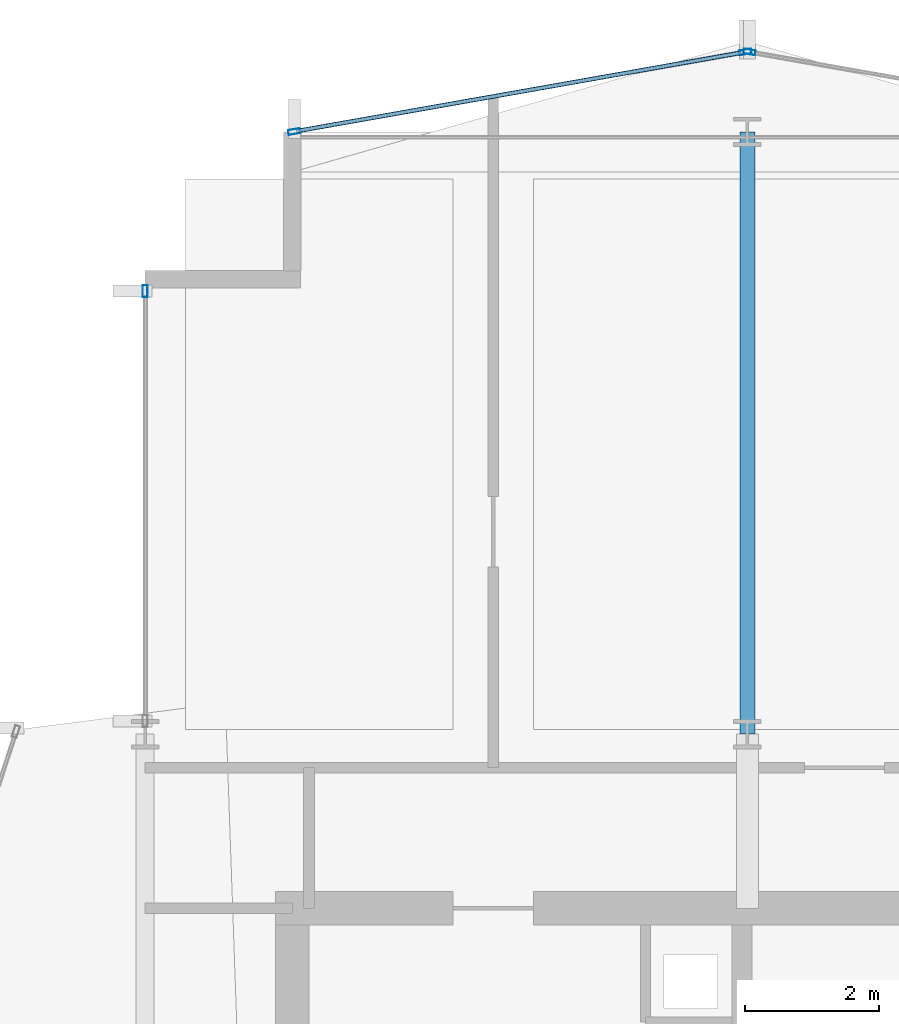
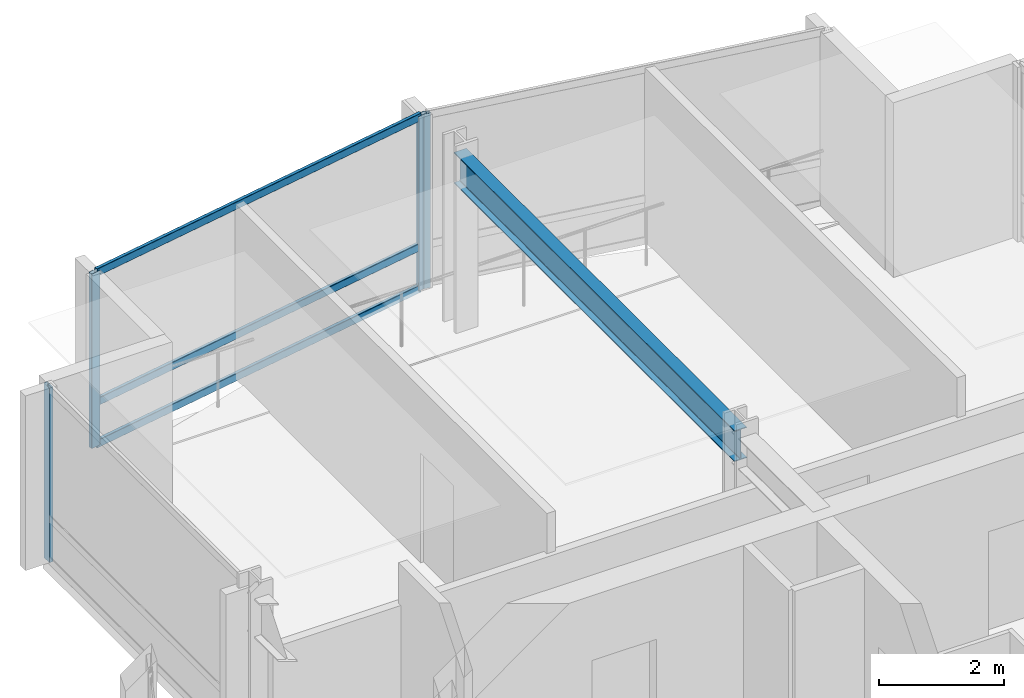
# One storey, part 19 of 28: 7 members, 1 beam, 3 elements without a shape of their own.
"""IFC4 building model written with IfcOpenShell, lengths in metres."""

import ifcopenshell
import ifcopenshell.guid

model = None  # the IFC model being written
_history = None  # IfcOwnerHistory: only IFC2X3 demands one
_inside = {}  # id of a spatial element -> (the spatial element, [elements in it])
_under = {}  # id of a project, library or spatial element -> (it, [spatial elements below it])
_declared = {}  # id of a project -> (the project, [libraries it declares])
_typed = {}  # id of a type object -> (the type object, [elements of that type])
_made_of = {}  # id of a material, layer set ... -> (it, [elements and type objects made of it])


def new_model(schema):
    """Start an empty IFC model of exactly this schema.

    Asked for "IFC4X3", IfcOpenShell would pick the latest addendum, in which some entities
    have other attributes; the version numbers below select the first issue.
    IFC2X3 requires an IfcOwnerHistory on every rooted entity: one is made here for all.
    """
    global model, _history
    if schema == "IFC4X3":
        model = ifcopenshell.file(schema_version=(4, 3, 0, 0))
    else:
        model = ifcopenshell.file(schema=schema)
    _inside.clear()
    _under.clear()
    _declared.clear()
    _typed.clear()
    _made_of.clear()
    _history = None
    if model.schema == "IFC2X3":
        org = make("IfcOrganization", Name="unknown")
        user = make(
            "IfcPersonAndOrganization",
            ThePerson=make("IfcPerson", FamilyName="unknown"),
            TheOrganization=org,
        )
        app = make(
            "IfcApplication",
            ApplicationDeveloper=org,
            Version="unknown",
            ApplicationFullName="unknown",
            ApplicationIdentifier="unknown",
        )
        _history = make(
            "IfcOwnerHistory",
            OwningUser=user,
            OwningApplication=app,
            ChangeAction="ADDED",
            CreationDate=0,
        )
    return model


def make(cls, **values):
    """One entity of the class cls with the attributes given. An attribute that is None is left unset."""
    return model.create_entity(
        cls, **{name: value for name, value in values.items() if value is not None}
    )


def rooted(cls, **values):
    """An entity with a GlobalId (a new one), such as an element, a storey or a relation."""
    return make(cls, GlobalId=ifcopenshell.guid.new(), OwnerHistory=_history, **values)


def si_unit(unit_type, name, prefix=None):
    """IfcSIUnit, for example si_unit("LENGTHUNIT", "METRE", prefix="MILLI")."""
    return make("IfcSIUnit", UnitType=unit_type, Prefix=prefix, Name=name)


def assignment(units):
    """IfcUnitAssignment: the units of a project."""
    return None if units is None else make("IfcUnitAssignment", Units=units)


def point(xyz):
    """IfcCartesianPoint."""
    return None if xyz is None else make("IfcCartesianPoint", Coordinates=xyz)


def direction(xyz):
    """IfcDirection."""
    return None if xyz is None else make("IfcDirection", DirectionRatios=xyz)


def frame(location, z_axis=None, x_axis=None):
    """IfcAxis2Placement3D, a coordinate frame: its origin and axes. An axis left out is left unset."""
    return make(
        "IfcAxis2Placement3D",
        Location=point(location),
        Axis=direction(z_axis),
        RefDirection=direction(x_axis),
    )


def frame_2d(location, x_axis=None):
    """IfcAxis2Placement2D, a coordinate frame in the plane: its origin and x axis."""
    return make(
        "IfcAxis2Placement2D", Location=point(location), RefDirection=direction(x_axis)
    )


def origin():
    """The frame at (0, 0, 0) with its axes left unset."""
    return frame((0.0, 0.0, 0.0))


def origin_2d():
    """The frame at (0, 0) in the plane with its x axis left unset."""
    return frame_2d((0.0, 0.0))


def place(relative_to, where):
    """IfcLocalPlacement: puts the frame where relative to a parent placement (None: the world)."""
    return make(
        "IfcLocalPlacement", PlacementRelTo=relative_to, RelativePlacement=where
    )


def context(
    kind, dimensions, precision=None, world=None, true_north=None, identifier=None
):
    """IfcGeometricRepresentationContext, for example the 3D "Model" context."""
    return make(
        "IfcGeometricRepresentationContext",
        ContextIdentifier=identifier,
        ContextType=kind,
        CoordinateSpaceDimension=dimensions,
        Precision=precision,
        WorldCoordinateSystem=world,
        TrueNorth=true_north,
    )


def subcontext(parent, identifier, kind, view, scale=None):
    """IfcGeometricRepresentationSubContext, for example "Body" below "Model"."""
    return make(
        "IfcGeometricRepresentationSubContext",
        ContextIdentifier=identifier,
        ContextType=kind,
        ParentContext=parent,
        TargetScale=scale,
        TargetView=view,
    )


def project(units=None, contexts=None):
    """IfcProject with its units and contexts."""
    return rooted(
        "IfcProject",
        Name="project",
        RepresentationContexts=contexts,
        UnitsInContext=assignment(units),
    )


def spatial(cls, under=None, at=None, **own):
    """A site, building, storey or space (cls), placed at a placement, below another one or the project."""
    s = rooted(cls, ObjectPlacement=at, **own)
    if under is not None:
        _under.setdefault(under.id(), (under, []))[1].append(s)
    return s


def profile(cls, at=None, kind="AREA", **sizes):
    """A parametric profile (cls). Its sizes go by their IFC names, for example OverallWidth=200.0."""
    return make(cls, ProfileType=kind, Position=at, **sizes)


def hollow_rectangle(**sizes):
    """IfcRectangleHollowProfileDef."""
    return profile("IfcRectangleHollowProfileDef", **sizes)


def i_section(**sizes):
    """IfcIShapeProfileDef."""
    return profile("IfcIShapeProfileDef", **sizes)


def extrude(swept, where, along, depth):
    """IfcExtrudedAreaSolid: the profile swept, set in the frame where, extruded along a direction by depth."""
    return make(
        "IfcExtrudedAreaSolid",
        SweptArea=swept,
        Position=where,
        ExtrudedDirection=direction(along),
        Depth=depth,
    )


def shape(context_of_items, identifier, shape_type, items):
    """IfcShapeRepresentation: the items that make up one representation, for example the "Body"."""
    return make(
        "IfcShapeRepresentation",
        ContextOfItems=context_of_items,
        RepresentationIdentifier=identifier,
        RepresentationType=shape_type,
        Items=items,
    )


def material(Name=None, Category=None):
    """IfcMaterial."""
    return make("IfcMaterial", Name=Name, Category=Category)


def layer(
    of_material, thickness, ventilated=None, Name=None, Category=None, Priority=None
):
    """IfcMaterialLayer: one layer of a wall or slab, of a material (None: an air gap)."""
    return make(
        "IfcMaterialLayer",
        Material=of_material,
        LayerThickness=thickness,
        IsVentilated=ventilated,
        Name=Name,
        Category=Category,
        Priority=Priority,
    )


def layer_set(layers, Name=None):
    """IfcMaterialLayerSet."""
    return make("IfcMaterialLayerSet", MaterialLayers=layers, LayerSetName=Name)


def material_profile(
    of_material, cross_section, Name=None, Category=None, Priority=None
):
    """IfcMaterialProfile: a cross section and its material."""
    return make(
        "IfcMaterialProfile",
        Name=Name,
        Material=of_material,
        Profile=cross_section,
        Priority=Priority,
        Category=Category,
    )


def profile_set(profiles, Name=None, composite=None):
    """IfcMaterialProfileSet."""
    return make(
        "IfcMaterialProfileSet",
        Name=Name,
        MaterialProfiles=profiles,
        CompositeProfile=composite,
    )


def made_of(thing, what):
    """Note that an element or type object is made of a material, layer set ...; save() writes the relation."""
    if what is not None:
        _made_of.setdefault(what.id(), (what, []))[1].append(thing)
    return thing


def type_object(cls, material=None, **own):
    """A type object (cls), such as IfcWallType, which elements share."""
    return made_of(rooted(cls, **own), material)


def element(
    cls,
    number,
    at=None,
    inside=None,
    cuts=None,
    type_object=None,
    material=None,
    context=None,
    identifier="Body",
    shape_type=None,
    held_by="IfcProductDefinitionShape",
    body=None,
    shapes=None,
    **own,
):
    """One element of the class cls, such as IfcWall. Its Tag is "e" and its number.

    at: its placement. inside: the storey or other place that contains it. cuts: it is an
    opening in that element (IfcRelVoidsElement). A single representation is given by context,
    identifier, shape_type and body (its items); several are given by shapes. held_by: the class
    of the entity that holds the representations. save() writes the other relations.
    """
    e = rooted(cls, Tag="e%d" % number, ObjectPlacement=at, **own)
    if body is not None:
        shapes = [shape(context, identifier, shape_type, body)]
    if shapes is not None:
        e.Representation = make(held_by, Representations=shapes)
    if inside is not None:
        _inside.setdefault(inside.id(), (inside, []))[1].append(e)
    if cuts is not None:
        rooted(
            "IfcRelVoidsElement", RelatingBuildingElement=cuts, RelatedOpeningElement=e
        )
    if type_object is not None:
        _typed.setdefault(type_object.id(), (type_object, []))[1].append(e)
    return made_of(e, material)


def aggregate(whole, parts):
    """IfcRelAggregates: a whole, such as a stair, and the parts it consists of."""
    return rooted("IfcRelAggregates", RelatingObject=whole, RelatedObjects=parts)


def save(model, path):
    """Write the relations noted so far, then the file.

    IfcRelAggregates (storeys below a building ...), IfcRelContainedInSpatialStructure (elements
    in a storey), IfcRelDefinesByType, IfcRelAssociatesMaterial and IfcRelDeclares: one each for
    every whole, place, type object, material and project.
    """
    for whole, parts in _under.values():
        aggregate(whole, parts)
    for where, things in _inside.values():
        rooted(
            "IfcRelContainedInSpatialStructure",
            RelatedElements=things,
            RelatingStructure=where,
        )
    for kind, things in _typed.values():
        rooted("IfcRelDefinesByType", RelatedObjects=things, RelatingType=kind)
    for what, things in _made_of.values():
        rooted("IfcRelAssociatesMaterial", RelatedObjects=things, RelatingMaterial=what)
    for by, libraries in _declared.values():
        rooted("IfcRelDeclares", RelatingContext=by, RelatedDefinitions=libraries)
    model.write(path)


model = new_model("IFC4")

# Units and contexts
model_context = context("Model", 3, precision=1e-05, world=origin(), true_north=direction((0.0, 1.0)))
body_context = subcontext(model_context, "Body", "Model", "MODEL_VIEW")
ifc_project = project(units=[si_unit("LENGTHUNIT", "METRE"), si_unit("AREAUNIT", "SQUARE_METRE"), si_unit("VOLUMEUNIT", "CUBIC_METRE"), si_unit("PLANEANGLEUNIT", "RADIAN"), si_unit("MASSUNIT", "GRAM", prefix="KILO")], contexts=[model_context])

# Site, building, storey
site_placement = place(None, origin())
site = spatial("IfcSite", under=ifc_project, at=site_placement, CompositionType="ELEMENT")
building_placement = place(site_placement, origin())
building = spatial("IfcBuilding", under=site, at=building_placement, Name="Solvaryn Broadcast Tower", CompositionType="ELEMENT")
storey_placement = place(building_placement, frame((0.0, 0.0, 158.10009765625)))
storey = spatial("IfcBuildingStorey", under=building, at=storey_placement, Name="L39", CompositionType="ELEMENT", Elevation=158.10009765625)

# Beam
ifc_material_1 = material(Name="Steel ASTM A992 Grade 50", Category="steel")
ifc_material_profile_1 = material_profile(ifc_material_1, i_section(OverallWidth=0.22802734375, OverallDepth=0.60791015625, WebThickness=0.01123046875, FlangeThickness=0.017333984375, FilletRadius=0.014892578125, at=origin_2d()))
ifc_profile_set_1 = profile_set([ifc_material_profile_1], Name="Steel ASTM A992 Grade 50")
beam_type = type_object("IfcBeamType", Name="BM-B2-W24X76", PredefinedType="BEAM", material=ifc_profile_set_1)
beam_placement = place(storey_placement, frame((18.0, 45.0, 3.115966796875), z_axis=(0.0, 1.0, 0.0), x_axis=(-1.0, 0.0, 0.0)))
element("IfcBeam", 1, at=beam_placement, inside=storey, type_object=beam_type, Name="L39 Primary Beam Y (45-54 @ X=18)", PredefinedType="BEAM", context=body_context, shape_type="SweptSolid", body=[
    extrude(i_section(OverallWidth=0.22802734375, OverallDepth=0.60791015625, WebThickness=0.01123046875, FlangeThickness=0.017333984375, FilletRadius=0.014892578125, at=origin_2d()), origin(), (0.0, 0.0, 1.0), 9.0),
])

# Curtain wall, member
ifc_material_2 = material(Name="Aluminium and Terracotta Unitised Curtain Wall", Category="masonry")
ifc_layer = layer(ifc_material_2, 0.199951171875)
ifc_layer_set = layer_set([ifc_layer], Name="CW-SYS2-LOWMID")
curtain_wall_type = type_object("IfcCurtainWallType", Name="CW-SYS2-LOWMID", PredefinedType="NOTDEFINED", material=ifc_layer_set)
curtain_wall_1_placement = place(storey_placement, origin())
curtain_wall_1 = element("IfcCurtainWall", 2, at=curtain_wall_1_placement, inside=storey, type_object=curtain_wall_type, Name="L39 Curtain Wall W2", PredefinedType="NOTDEFINED")
ifc_material_3 = material(Name="Anodised Aluminium 6063-T6", Category="aluminium")
ifc_material_profile_2 = material_profile(ifc_material_3, hollow_rectangle(XDim=0.074951171875, YDim=0.179931640625, WallThickness=0.00390625, InnerFilletRadius=0.00390625, OuterFilletRadius=0.008056640625, at=origin_2d()))
ifc_profile_set_2 = profile_set([ifc_material_profile_2], Name="Anodised Aluminium 6063-T6")
member_type_1 = type_object("IfcMemberType", Name="CW-MUL-180", PredefinedType="MULLION", material=ifc_profile_set_2)
member_1_placement = place(storey_placement, frame((9.0, 51.6201171875, 0.0), z_axis=(0.0, 0.0, 1.0), x_axis=(-1.0, 0.0, 0.0)))
member_1 = element("IfcMember", 3, at=member_1_placement, type_object=member_type_1, Name="CWS2 mullion 2", PredefinedType="MULLION", context=body_context, shape_type="SweptSolid", body=[
    extrude(hollow_rectangle(XDim=0.074951171875, YDim=0.179931640625, WallThickness=0.00390625, InnerFilletRadius=0.00390625, OuterFilletRadius=0.008056640625, at=origin_2d()), origin(), (0.0, 0.0, 1.0), 3.419921875),
])
aggregate(curtain_wall_1, [member_1])

curtain_wall_2_placement = place(storey_placement, origin())
curtain_wall_2 = element("IfcCurtainWall", 4, at=curtain_wall_2_placement, inside=storey, type_object=curtain_wall_type, Name="L39 Curtain Wall NT1", PredefinedType="NOTDEFINED")
member_2_placement = place(storey_placement, frame((18.029541015625, 55.19482421875, 0.0), z_axis=(0.0, 0.0, 1.0), x_axis=(-0.173785333901, -0.984783558819, 0.0)))
member_2 = element("IfcMember", 5, at=member_2_placement, type_object=member_type_1, Name="CWS2 mullion 2", PredefinedType="MULLION", context=body_context, shape_type="SweptSolid", body=[
    extrude(hollow_rectangle(XDim=0.074951171875, YDim=0.179931640625, WallThickness=0.00390625, InnerFilletRadius=0.00390625, OuterFilletRadius=0.008056640625, at=origin_2d()), origin(), (0.0, 0.0, 1.0), 3.419921875),
])
aggregate(curtain_wall_2, [member_2])

# Curtain wall, members
curtain_wall_3_placement = place(storey_placement, origin())
curtain_wall_3 = element("IfcCurtainWall", 6, at=curtain_wall_3_placement, inside=storey, type_object=curtain_wall_type, Name="L39 Curtain Wall NT2", PredefinedType="NOTDEFINED")
member_3_placement = place(storey_placement, frame((17.970458984375, 55.19482421875, 0.0), z_axis=(0.0, 0.0, 1.0), x_axis=(0.173785333901, -0.984783558819, 0.0)))
member_3 = element("IfcMember", 7, at=member_3_placement, type_object=member_type_1, Name="CWS2 mullion 1", PredefinedType="MULLION", context=body_context, shape_type="SweptSolid", body=[
    extrude(hollow_rectangle(XDim=0.074951171875, YDim=0.179931640625, WallThickness=0.00390625, InnerFilletRadius=0.00390625, OuterFilletRadius=0.008056640625, at=origin_2d()), origin(), (0.0, 0.0, 1.0), 3.419921875),
])
member_4_placement = place(storey_placement, frame((11.2294921875, 54.005126953125, 0.0), z_axis=(0.0, 0.0, 1.0), x_axis=(0.173785333901, -0.984783558819, 0.0)))
member_4 = element("IfcMember", 8, at=member_4_placement, type_object=member_type_1, Name="CWS2 mullion 2", PredefinedType="MULLION", context=body_context, shape_type="SweptSolid", body=[
    extrude(hollow_rectangle(XDim=0.074951171875, YDim=0.179931640625, WallThickness=0.00390625, InnerFilletRadius=0.00390625, OuterFilletRadius=0.008056640625, at=origin_2d()), origin(), (0.0, 0.0, 1.0), 3.419921875),
])
ifc_material_4 = material(Name="Anodised Aluminium 6063-T6", Category="aluminium")
ifc_material_profile_3 = material_profile(ifc_material_4, hollow_rectangle(XDim=0.06494140625, YDim=0.14990234375, WallThickness=0.00390625, InnerFilletRadius=0.00390625, OuterFilletRadius=0.008056640625, at=origin_2d()))
ifc_profile_set_3 = profile_set([ifc_material_profile_3], Name="Anodised Aluminium 6063-T6")
member_type_2 = type_object("IfcMemberType", Name="CW-TRN-150", PredefinedType="USERDEFINED", material=ifc_profile_set_3)
member_5_placement = place(storey_placement, frame((17.94091796875, 55.189453125, 0.02978515625), z_axis=(-0.984788629673, -0.173756596613, 0.0), x_axis=(0.173756596613, -0.984788629673, 0.0)))
member_5 = element("IfcMember", 9, at=member_5_placement, type_object=member_type_2, Name="CWS2 transom 1.1", ObjectType="TRANSOM", PredefinedType="USERDEFINED", context=body_context, shape_type="SweptSolid", body=[
    extrude(hollow_rectangle(XDim=0.06494140625, YDim=0.14990234375, WallThickness=0.00390625, InnerFilletRadius=0.00390625, OuterFilletRadius=0.008056640625, at=origin_2d()), origin(), (0.0, 0.0, 1.0), 6.78515625),
])
member_6_placement = place(storey_placement, frame((17.94091796875, 55.189453125, 0.849853515625), z_axis=(-0.984788629673, -0.173756596613, 0.0), x_axis=(0.173756596613, -0.984788629673, 0.0)))
member_6 = element("IfcMember", 10, at=member_6_placement, type_object=member_type_2, Name="CWS2 transom 1.2", ObjectType="TRANSOM", PredefinedType="USERDEFINED", context=body_context, shape_type="SweptSolid", body=[
    extrude(hollow_rectangle(XDim=0.06494140625, YDim=0.14990234375, WallThickness=0.00390625, InnerFilletRadius=0.00390625, OuterFilletRadius=0.008056640625, at=origin_2d()), origin(), (0.0, 0.0, 1.0), 6.78515625),
])
member_7_placement = place(storey_placement, frame((17.94091796875, 55.189453125, 3.389892578125), z_axis=(-0.984788629673, -0.173756596613, 0.0), x_axis=(0.173756596613, -0.984788629673, 0.0)))
member_7 = element("IfcMember", 11, at=member_7_placement, type_object=member_type_2, Name="CWS2 transom 1.3", ObjectType="TRANSOM", PredefinedType="USERDEFINED", context=body_context, shape_type="SweptSolid", body=[
    extrude(hollow_rectangle(XDim=0.06494140625, YDim=0.14990234375, WallThickness=0.00390625, InnerFilletRadius=0.00390625, OuterFilletRadius=0.008056640625, at=origin_2d()), origin(), (0.0, 0.0, 1.0), 6.78515625),
])
aggregate(curtain_wall_3, [member_3, member_4, member_5, member_6, member_7])

save(model, "model.ifc")
